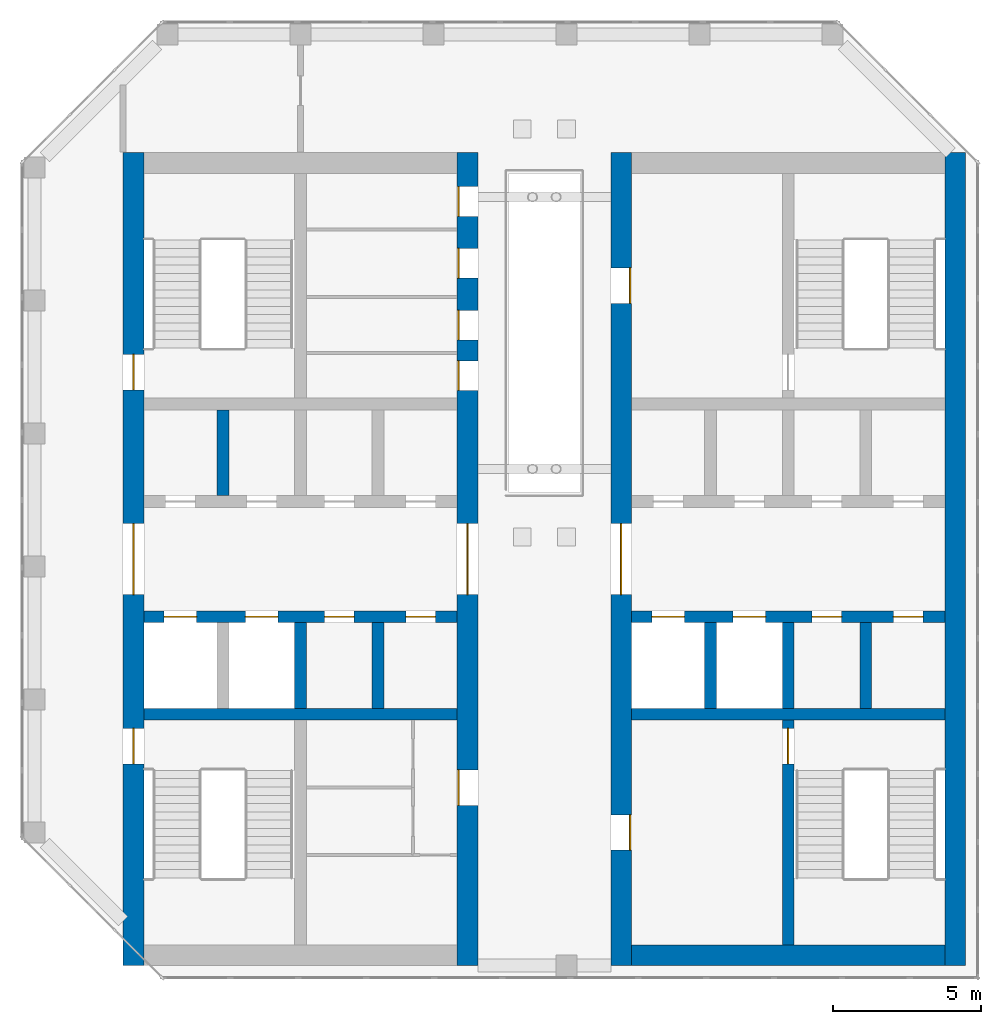
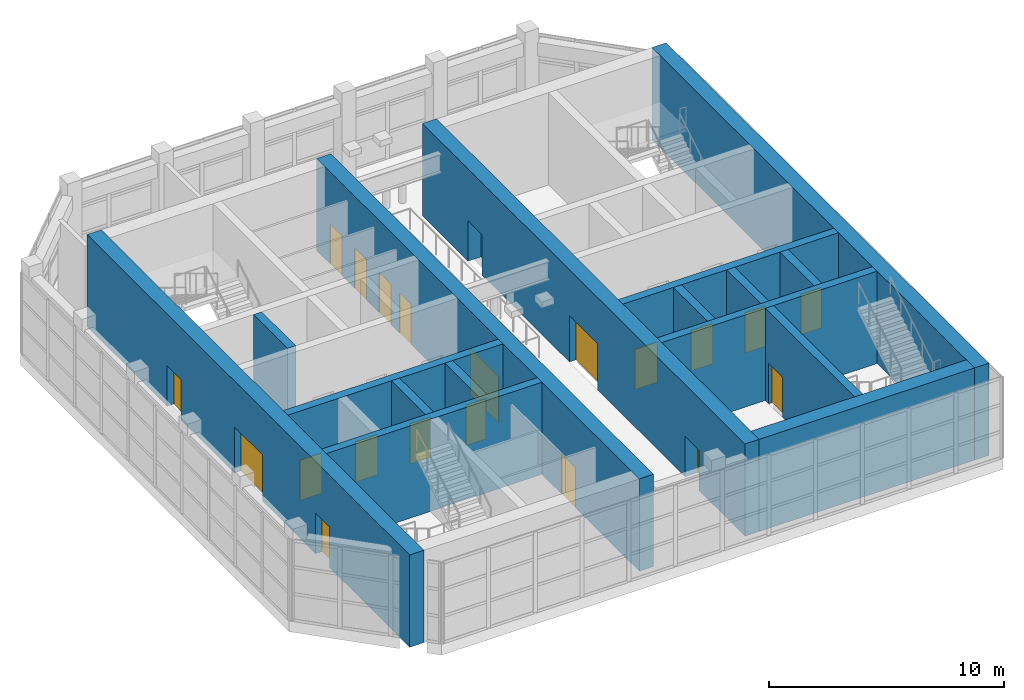
# One storey, part 10 of 13: 21 doors, 16 walls, 21 openings.
"""IFC4 building model written with IfcOpenShell, lengths in metres."""

import ifcopenshell
import ifcopenshell.guid

model = None  # the IFC model being written
_history = None  # IfcOwnerHistory: only IFC2X3 demands one
_inside = {}  # id of a spatial element -> (the spatial element, [elements in it])
_under = {}  # id of a project, library or spatial element -> (it, [spatial elements below it])
_declared = {}  # id of a project -> (the project, [libraries it declares])
_typed = {}  # id of a type object -> (the type object, [elements of that type])
_made_of = {}  # id of a material, layer set ... -> (it, [elements and type objects made of it])


def new_model(schema):
    """Start an empty IFC model of exactly this schema.

    Asked for "IFC4X3", IfcOpenShell would pick the latest addendum, in which some entities
    have other attributes; the version numbers below select the first issue.
    IFC2X3 requires an IfcOwnerHistory on every rooted entity: one is made here for all.
    """
    global model, _history
    if schema == "IFC4X3":
        model = ifcopenshell.file(schema_version=(4, 3, 0, 0))
    else:
        model = ifcopenshell.file(schema=schema)
    _inside.clear()
    _under.clear()
    _declared.clear()
    _typed.clear()
    _made_of.clear()
    _history = None
    if model.schema == "IFC2X3":
        org = make("IfcOrganization", Name="unknown")
        user = make(
            "IfcPersonAndOrganization",
            ThePerson=make("IfcPerson", FamilyName="unknown"),
            TheOrganization=org,
        )
        app = make(
            "IfcApplication",
            ApplicationDeveloper=org,
            Version="unknown",
            ApplicationFullName="unknown",
            ApplicationIdentifier="unknown",
        )
        _history = make(
            "IfcOwnerHistory",
            OwningUser=user,
            OwningApplication=app,
            ChangeAction="ADDED",
            CreationDate=0,
        )
    return model


def make(cls, **values):
    """One entity of the class cls with the attributes given. An attribute that is None is left unset."""
    return model.create_entity(
        cls, **{name: value for name, value in values.items() if value is not None}
    )


def rooted(cls, **values):
    """An entity with a GlobalId (a new one), such as an element, a storey or a relation."""
    return make(cls, GlobalId=ifcopenshell.guid.new(), OwnerHistory=_history, **values)


def si_unit(unit_type, name, prefix=None):
    """IfcSIUnit, for example si_unit("LENGTHUNIT", "METRE", prefix="MILLI")."""
    return make("IfcSIUnit", UnitType=unit_type, Prefix=prefix, Name=name)


def assignment(units):
    """IfcUnitAssignment: the units of a project."""
    return None if units is None else make("IfcUnitAssignment", Units=units)


def point(xyz):
    """IfcCartesianPoint."""
    return None if xyz is None else make("IfcCartesianPoint", Coordinates=xyz)


def direction(xyz):
    """IfcDirection."""
    return None if xyz is None else make("IfcDirection", DirectionRatios=xyz)


def frame(location, z_axis=None, x_axis=None):
    """IfcAxis2Placement3D, a coordinate frame: its origin and axes. An axis left out is left unset."""
    return make(
        "IfcAxis2Placement3D",
        Location=point(location),
        Axis=direction(z_axis),
        RefDirection=direction(x_axis),
    )


def frame_2d(location, x_axis=None):
    """IfcAxis2Placement2D, a coordinate frame in the plane: its origin and x axis."""
    return make(
        "IfcAxis2Placement2D", Location=point(location), RefDirection=direction(x_axis)
    )


def origin():
    """The frame at (0, 0, 0) with its axes left unset."""
    return frame((0.0, 0.0, 0.0))


def place(relative_to, where):
    """IfcLocalPlacement: puts the frame where relative to a parent placement (None: the world)."""
    return make(
        "IfcLocalPlacement", PlacementRelTo=relative_to, RelativePlacement=where
    )


def context(
    kind, dimensions, precision=None, world=None, true_north=None, identifier=None
):
    """IfcGeometricRepresentationContext, for example the 3D "Model" context."""
    return make(
        "IfcGeometricRepresentationContext",
        ContextIdentifier=identifier,
        ContextType=kind,
        CoordinateSpaceDimension=dimensions,
        Precision=precision,
        WorldCoordinateSystem=world,
        TrueNorth=true_north,
    )


def subcontext(parent, identifier, kind, view, scale=None):
    """IfcGeometricRepresentationSubContext, for example "Body" below "Model"."""
    return make(
        "IfcGeometricRepresentationSubContext",
        ContextIdentifier=identifier,
        ContextType=kind,
        ParentContext=parent,
        TargetScale=scale,
        TargetView=view,
    )


def project(units=None, contexts=None):
    """IfcProject with its units and contexts."""
    return rooted(
        "IfcProject",
        Name="project",
        RepresentationContexts=contexts,
        UnitsInContext=assignment(units),
    )


def spatial(cls, under=None, at=None, **own):
    """A site, building, storey or space (cls), placed at a placement, below another one or the project."""
    s = rooted(cls, ObjectPlacement=at, **own)
    if under is not None:
        _under.setdefault(under.id(), (under, []))[1].append(s)
    return s


def profile(cls, at=None, kind="AREA", **sizes):
    """A parametric profile (cls). Its sizes go by their IFC names, for example OverallWidth=200.0."""
    return make(cls, ProfileType=kind, Position=at, **sizes)


def rectangle(**sizes):
    """IfcRectangleProfileDef."""
    return profile("IfcRectangleProfileDef", **sizes)


def extrude(swept, where, along, depth):
    """IfcExtrudedAreaSolid: the profile swept, set in the frame where, extruded along a direction by depth."""
    return make(
        "IfcExtrudedAreaSolid",
        SweptArea=swept,
        Position=where,
        ExtrudedDirection=direction(along),
        Depth=depth,
    )


def shape(context_of_items, identifier, shape_type, items):
    """IfcShapeRepresentation: the items that make up one representation, for example the "Body"."""
    return make(
        "IfcShapeRepresentation",
        ContextOfItems=context_of_items,
        RepresentationIdentifier=identifier,
        RepresentationType=shape_type,
        Items=items,
    )


def material(Name=None, Category=None):
    """IfcMaterial."""
    return make("IfcMaterial", Name=Name, Category=Category)


def layer(
    of_material, thickness, ventilated=None, Name=None, Category=None, Priority=None
):
    """IfcMaterialLayer: one layer of a wall or slab, of a material (None: an air gap)."""
    return make(
        "IfcMaterialLayer",
        Material=of_material,
        LayerThickness=thickness,
        IsVentilated=ventilated,
        Name=Name,
        Category=Category,
        Priority=Priority,
    )


def layer_set(layers, Name=None):
    """IfcMaterialLayerSet."""
    return make("IfcMaterialLayerSet", MaterialLayers=layers, LayerSetName=Name)


def made_of(thing, what):
    """Note that an element or type object is made of a material, layer set ...; save() writes the relation."""
    if what is not None:
        _made_of.setdefault(what.id(), (what, []))[1].append(thing)
    return thing


def type_object(cls, material=None, **own):
    """A type object (cls), such as IfcWallType, which elements share."""
    return made_of(rooted(cls, **own), material)


def element(
    cls,
    number,
    at=None,
    inside=None,
    cuts=None,
    type_object=None,
    material=None,
    context=None,
    identifier="Body",
    shape_type=None,
    held_by="IfcProductDefinitionShape",
    body=None,
    shapes=None,
    **own,
):
    """One element of the class cls, such as IfcWall. Its Tag is "e" and its number.

    at: its placement. inside: the storey or other place that contains it. cuts: it is an
    opening in that element (IfcRelVoidsElement). A single representation is given by context,
    identifier, shape_type and body (its items); several are given by shapes. held_by: the class
    of the entity that holds the representations. save() writes the other relations.
    """
    e = rooted(cls, Tag="e%d" % number, ObjectPlacement=at, **own)
    if body is not None:
        shapes = [shape(context, identifier, shape_type, body)]
    if shapes is not None:
        e.Representation = make(held_by, Representations=shapes)
    if inside is not None:
        _inside.setdefault(inside.id(), (inside, []))[1].append(e)
    if cuts is not None:
        rooted(
            "IfcRelVoidsElement", RelatingBuildingElement=cuts, RelatedOpeningElement=e
        )
    if type_object is not None:
        _typed.setdefault(type_object.id(), (type_object, []))[1].append(e)
    return made_of(e, material)


def fill(opening, filler):
    """IfcRelFillsElement: the door or window that sits in an opening."""
    return rooted(
        "IfcRelFillsElement",
        RelatingOpeningElement=opening,
        RelatedBuildingElement=filler,
    )


def aggregate(whole, parts):
    """IfcRelAggregates: a whole, such as a stair, and the parts it consists of."""
    return rooted("IfcRelAggregates", RelatingObject=whole, RelatedObjects=parts)


def save(model, path):
    """Write the relations noted so far, then the file.

    IfcRelAggregates (storeys below a building ...), IfcRelContainedInSpatialStructure (elements
    in a storey), IfcRelDefinesByType, IfcRelAssociatesMaterial and IfcRelDeclares: one each for
    every whole, place, type object, material and project.
    """
    for whole, parts in _under.values():
        aggregate(whole, parts)
    for where, things in _inside.values():
        rooted(
            "IfcRelContainedInSpatialStructure",
            RelatedElements=things,
            RelatingStructure=where,
        )
    for kind, things in _typed.values():
        rooted("IfcRelDefinesByType", RelatedObjects=things, RelatingType=kind)
    for what, things in _made_of.values():
        rooted("IfcRelAssociatesMaterial", RelatedObjects=things, RelatingMaterial=what)
    for by, libraries in _declared.values():
        rooted("IfcRelDeclares", RelatingContext=by, RelatedDefinitions=libraries)
    model.write(path)


model = new_model("IFC4")

# Units and contexts
model_context = context("Model", 3, precision=1e-05, world=origin(), true_north=direction((0.0, 1.0)))
body_context = subcontext(model_context, "Body", "Model", "MODEL_VIEW")
ifc_project = project(units=[si_unit("LENGTHUNIT", "METRE"), si_unit("AREAUNIT", "SQUARE_METRE"), si_unit("VOLUMEUNIT", "CUBIC_METRE"), si_unit("PLANEANGLEUNIT", "RADIAN"), si_unit("MASSUNIT", "GRAM", prefix="KILO")], contexts=[model_context])

# Site, building, storey
site_placement = place(None, origin())
site = spatial("IfcSite", under=ifc_project, at=site_placement, CompositionType="ELEMENT")
building_placement = place(site_placement, origin())
building = spatial("IfcBuilding", under=site, at=building_placement, Name="Corbel Stack Research Tower", CompositionType="ELEMENT")
storey_placement = place(building_placement, frame((0.0, 0.0, 316.60009765625)))
storey = spatial("IfcBuildingStorey", under=building, at=storey_placement, Name="L71", CompositionType="ELEMENT", Elevation=316.60009765625)

# Wall
ifc_material_1 = material(Name="Concrete C60/75", Category="concrete")
ifc_layer_1 = layer(ifc_material_1, 0.39990234375)
ifc_layer_set_1 = layer_set([ifc_layer_1], Name="Concrete C60/75")
wall_type_1 = type_object("IfcWallType", Name="CW-400-60", PredefinedType="SHEAR", material=ifc_layer_set_1)
wall_1_placement = place(storey_placement, frame((-9.800048828125, -0.5, 0.0), z_axis=(0.0, 0.0, 1.0), x_axis=(1.0, 0.0, 0.0)))
element("IfcWall", 1, at=wall_1_placement, inside=storey, type_object=wall_type_1, Name="West core wall, south row back L71", PredefinedType="SHEAR", context=body_context, shape_type="SweptSolid", body=[
    extrude(rectangle(XDim=10.60009765625, YDim=0.39990234375, at=frame_2d((5.300048828125, 0.0))), origin(), (0.0, 0.0, 1.0), 4.7998046875),
])

# Wall, openings, doors
wall_2_placement = place(storey_placement, frame((-9.800048828125, 2.800048828125, 0.0), z_axis=(0.0, 0.0, 1.0), x_axis=(1.0, 0.0, 0.0)))
wall_2 = element("IfcWall", 2, at=wall_2_placement, inside=storey, type_object=wall_type_1, Name="West core wall, lobby south L71", PredefinedType="SHEAR", context=body_context, shape_type="SweptSolid", body=[
    extrude(rectangle(XDim=10.60009765625, YDim=0.39990234375, at=frame_2d((5.300048828125, 0.0))), origin(), (0.0, 0.0, 1.0), 4.7998046875),
])
opening_1_placement = place(wall_2_placement, frame((0.6875, 0.0, 0.0)))
opening_1 = element("IfcOpeningElement", 3, at=opening_1_placement, cuts=wall_2, Name="Opening LD-FS1", PredefinedType="OPENING", context=body_context, shape_type="SweptSolid", body=[
    extrude(rectangle(XDim=1.10009765625, YDim=2.10009765625, at=frame_2d((0.550048828125, 1.050048828125))), frame((0.0, 0.2099609375, 0.0), z_axis=(0.0, -1.0, 0.0), x_axis=(1.0, 0.0, 0.0)), (0.0, 0.0, 1.0), 0.419921875),
])
opening_2_placement = place(wall_2_placement, frame((3.4375, 0.0, 0.0)))
opening_2 = element("IfcOpeningElement", 4, at=opening_2_placement, cuts=wall_2, Name="Opening LD-GL1", PredefinedType="OPENING", context=body_context, shape_type="SweptSolid", body=[
    extrude(rectangle(XDim=1.10009765625, YDim=2.10009765625, at=frame_2d((0.550048828125, 1.050048828125))), frame((0.0, 0.2099609375, 0.0), z_axis=(0.0, -1.0, 0.0), x_axis=(1.0, 0.0, 0.0)), (0.0, 0.0, 1.0), 0.419921875),
])
opening_3_placement = place(wall_2_placement, frame((6.112548828125, 0.0, 0.0)))
opening_3 = element("IfcOpeningElement", 5, at=opening_3_placement, cuts=wall_2, Name="Opening CR-W66-S3", PredefinedType="OPENING", context=body_context, shape_type="SweptSolid", body=[
    extrude(rectangle(XDim=1.0, YDim=2.10009765625, at=frame_2d((0.5, 1.050048828125))), frame((0.0, 0.2099609375, 0.0), z_axis=(0.0, -1.0, 0.0), x_axis=(1.0, 0.0, 0.0)), (0.0, 0.0, 1.0), 0.419921875),
])
opening_4_placement = place(wall_2_placement, frame((8.862548828125, 0.0, 0.0)))
opening_4 = element("IfcOpeningElement", 6, at=opening_4_placement, cuts=wall_2, Name="Opening CR-W66-S4", PredefinedType="OPENING", context=body_context, shape_type="SweptSolid", body=[
    extrude(rectangle(XDim=1.0, YDim=2.10009765625, at=frame_2d((0.5, 1.050048828125))), frame((0.0, 0.2099609375, 0.0), z_axis=(0.0, -1.0, 0.0), x_axis=(1.0, 0.0, 0.0)), (0.0, 0.0, 1.0), 0.419921875),
])
ifc_material_2 = material(Name="Stainless steel landing door", Category="steel")
door_type_1 = type_object("IfcDoorType", Name="Lift landing door 1100 x 2100", OperationType="DOUBLE_DOOR_SLIDING", PredefinedType="DOOR", material=ifc_material_2)
door_1_placement = place(opening_1_placement, origin())
door_1 = element("IfcDoor", 7, at=door_1_placement, inside=storey, type_object=door_type_1, Name="Landing door FS1", OperationType="DOUBLE_DOOR_SLIDING", OverallHeight=2.10009765625, OverallWidth=1.10009765625, PredefinedType="DOOR", context=body_context, shape_type="SweptSolid", body=[
    extrude(rectangle(XDim=1.10009765625, YDim=2.10009765625, at=frame_2d((0.550048828125, 1.050048828125))), frame((0.0, 0.02490234375, 0.0), z_axis=(0.0, -1.0, 0.0), x_axis=(1.0, 0.0, 0.0)), (0.0, 0.0, 1.0), 0.050048828125),
])
fill(opening_1, door_1)
door_2_placement = place(opening_2_placement, origin())
door_2 = element("IfcDoor", 8, at=door_2_placement, inside=storey, type_object=door_type_1, Name="Landing door GL1", OperationType="DOUBLE_DOOR_SLIDING", OverallHeight=2.10009765625, OverallWidth=1.10009765625, PredefinedType="DOOR", context=body_context, shape_type="SweptSolid", body=[
    extrude(rectangle(XDim=1.10009765625, YDim=2.10009765625, at=frame_2d((0.550048828125, 1.050048828125))), frame((0.0, 0.02490234375, 0.0), z_axis=(0.0, -1.0, 0.0), x_axis=(1.0, 0.0, 0.0)), (0.0, 0.0, 1.0), 0.050048828125),
])
fill(opening_2, door_2)
ifc_material_3 = material(Name="Painted steel door", Category="steel")
door_type_2 = type_object("IfcDoorType", Name="Service door 1000 x 2100 FD60 left hand", OperationType="SINGLE_SWING_LEFT", PredefinedType="DOOR", material=ifc_material_3)
door_3_placement = place(opening_3_placement, origin())
door_3 = element("IfcDoor", 9, at=door_3_placement, inside=storey, type_object=door_type_2, Name="Mechanical room door W core", OperationType="SINGLE_SWING_LEFT", OverallHeight=2.10009765625, OverallWidth=1.0, PredefinedType="DOOR", context=body_context, shape_type="SweptSolid", body=[
    extrude(rectangle(XDim=1.0, YDim=2.10009765625, at=frame_2d((0.5, 1.050048828125))), frame((0.0, 0.02490234375, 0.0), z_axis=(0.0, -1.0, 0.0), x_axis=(1.0, 0.0, 0.0)), (0.0, 0.0, 1.0), 0.050048828125),
])
fill(opening_3, door_3)
ifc_material_4 = material(Name="Painted steel door", Category="steel")
door_type_3 = type_object("IfcDoorType", Name="Service door 1000 x 2100 FD60 right hand", OperationType="SINGLE_SWING_RIGHT", PredefinedType="DOOR", material=ifc_material_4)
door_4_placement = place(opening_4_placement, origin())
door_4 = element("IfcDoor", 10, at=door_4_placement, inside=storey, type_object=door_type_3, Name="Mechanical room door W core", OperationType="SINGLE_SWING_RIGHT", OverallHeight=2.10009765625, OverallWidth=1.0, PredefinedType="DOOR", context=body_context, shape_type="SweptSolid", body=[
    extrude(rectangle(XDim=1.0, YDim=2.10009765625, at=frame_2d((0.5, 1.050048828125))), frame((0.0, 0.02490234375, 0.0), z_axis=(0.0, -1.0, 0.0), x_axis=(1.0, 0.0, 0.0)), (0.0, 0.0, 1.0), 0.050048828125),
])
fill(opening_4, door_4)

# Walls
for number, where, z_axis, x_axis, name in (
    (11, (-7.125, 6.89990234375, 0.0), (0.0, 0.0, 1.0), (0.0, 1.0, 0.0), "West core wall, north shaft 1 L71"),
    (12, (-4.5, -0.300048828125, 0.0), (0.0, 0.0, 1.0), (0.0, 1.0, 0.0), "West core wall, south shaft 2 L71"),
    (13, (-1.875, -0.300048828125, 0.0), (0.0, 0.0, 1.0), (0.0, 1.0, 0.0), "West core wall, south shaft 3 L71"),
):
    element("IfcWall", number, at=place(storey_placement, frame(where, z_axis=z_axis, x_axis=x_axis)), inside=storey, type_object=wall_type_1, Name=name, PredefinedType="SHEAR", context=body_context, shape_type="SweptSolid", body=[
        extrude(rectangle(XDim=2.900146484375, YDim=0.39990234375, at=frame_2d((1.4501953125, 0.0))), origin(), (0.0, 0.0, 1.0), 4.7998046875),
    ])
wall_3_placement = place(storey_placement, frame((6.699951171875, -0.5, 0.0), z_axis=(0.0, 0.0, 1.0), x_axis=(1.0, 0.0, 0.0)))
element("IfcWall", 14, at=wall_3_placement, inside=storey, type_object=wall_type_1, Name="East core wall, south row back L71", PredefinedType="SHEAR", context=body_context, shape_type="SweptSolid", body=[
    extrude(rectangle(XDim=10.60009765625, YDim=0.39990234375, at=frame_2d((5.300048828125, 0.0))), origin(), (0.0, 0.0, 1.0), 4.7998046875),
])

# Wall, openings, doors
wall_4_placement = place(storey_placement, frame((6.699951171875, 2.800048828125, 0.0), z_axis=(0.0, 0.0, 1.0), x_axis=(1.0, 0.0, 0.0)))
wall_4 = element("IfcWall", 15, at=wall_4_placement, inside=storey, type_object=wall_type_1, Name="East core wall, lobby south L71", PredefinedType="SHEAR", context=body_context, shape_type="SweptSolid", body=[
    extrude(rectangle(XDim=10.60009765625, YDim=0.39990234375, at=frame_2d((5.300048828125, 0.0))), origin(), (0.0, 0.0, 1.0), 4.7998046875),
])
opening_5_placement = place(wall_4_placement, frame((0.6875, 0.0, 0.0)))
opening_5 = element("IfcOpeningElement", 16, at=opening_5_placement, cuts=wall_4, Name="Opening LD-FS2", PredefinedType="OPENING", context=body_context, shape_type="SweptSolid", body=[
    extrude(rectangle(XDim=1.10009765625, YDim=2.10009765625, at=frame_2d((0.550048828125, 1.050048828125))), frame((0.0, 0.2099609375, 0.0), z_axis=(0.0, -1.0, 0.0), x_axis=(1.0, 0.0, 0.0)), (0.0, 0.0, 1.0), 0.419921875),
])
opening_6_placement = place(wall_4_placement, frame((3.4375, 0.0, 0.0)))
opening_6 = element("IfcOpeningElement", 17, at=opening_6_placement, cuts=wall_4, Name="Opening LD-GL2", PredefinedType="OPENING", context=body_context, shape_type="SweptSolid", body=[
    extrude(rectangle(XDim=1.10009765625, YDim=2.10009765625, at=frame_2d((0.550048828125, 1.050048828125))), frame((0.0, 0.2099609375, 0.0), z_axis=(0.0, -1.0, 0.0), x_axis=(1.0, 0.0, 0.0)), (0.0, 0.0, 1.0), 0.419921875),
])
opening_7_placement = place(wall_4_placement, frame((6.112548828125, 0.0, 0.0)))
opening_7 = element("IfcOpeningElement", 18, at=opening_7_placement, cuts=wall_4, Name="Opening CR-E66v-S3", PredefinedType="OPENING", context=body_context, shape_type="SweptSolid", body=[
    extrude(rectangle(XDim=1.0, YDim=2.10009765625, at=frame_2d((0.5, 1.050048828125))), frame((0.0, 0.2099609375, 0.0), z_axis=(0.0, -1.0, 0.0), x_axis=(1.0, 0.0, 0.0)), (0.0, 0.0, 1.0), 0.419921875),
])
opening_8_placement = place(wall_4_placement, frame((8.862548828125, 0.0, 0.0)))
opening_8 = element("IfcOpeningElement", 19, at=opening_8_placement, cuts=wall_4, Name="Opening CR-E66v-S4", PredefinedType="OPENING", context=body_context, shape_type="SweptSolid", body=[
    extrude(rectangle(XDim=1.0, YDim=2.10009765625, at=frame_2d((0.5, 1.050048828125))), frame((0.0, 0.2099609375, 0.0), z_axis=(0.0, -1.0, 0.0), x_axis=(1.0, 0.0, 0.0)), (0.0, 0.0, 1.0), 0.419921875),
])
door_5_placement = place(opening_5_placement, origin())
door_5 = element("IfcDoor", 20, at=door_5_placement, inside=storey, type_object=door_type_1, Name="Landing door FS2", OperationType="DOUBLE_DOOR_SLIDING", OverallHeight=2.10009765625, OverallWidth=1.10009765625, PredefinedType="DOOR", context=body_context, shape_type="SweptSolid", body=[
    extrude(rectangle(XDim=1.10009765625, YDim=2.10009765625, at=frame_2d((0.550048828125, 1.050048828125))), frame((0.0, 0.02490234375, 0.0), z_axis=(0.0, -1.0, 0.0), x_axis=(1.0, 0.0, 0.0)), (0.0, 0.0, 1.0), 0.050048828125),
])
fill(opening_5, door_5)
door_6_placement = place(opening_6_placement, origin())
door_6 = element("IfcDoor", 21, at=door_6_placement, inside=storey, type_object=door_type_1, Name="Landing door GL2", OperationType="DOUBLE_DOOR_SLIDING", OverallHeight=2.10009765625, OverallWidth=1.10009765625, PredefinedType="DOOR", context=body_context, shape_type="SweptSolid", body=[
    extrude(rectangle(XDim=1.10009765625, YDim=2.10009765625, at=frame_2d((0.550048828125, 1.050048828125))), frame((0.0, 0.02490234375, 0.0), z_axis=(0.0, -1.0, 0.0), x_axis=(1.0, 0.0, 0.0)), (0.0, 0.0, 1.0), 0.050048828125),
])
fill(opening_6, door_6)
door_7_placement = place(opening_7_placement, origin())
door_7 = element("IfcDoor", 22, at=door_7_placement, inside=storey, type_object=door_type_2, Name="Telecom room door E core", OperationType="SINGLE_SWING_LEFT", OverallHeight=2.10009765625, OverallWidth=1.0, PredefinedType="DOOR", context=body_context, shape_type="SweptSolid", body=[
    extrude(rectangle(XDim=1.0, YDim=2.10009765625, at=frame_2d((0.5, 1.050048828125))), frame((0.0, 0.02490234375, 0.0), z_axis=(0.0, -1.0, 0.0), x_axis=(1.0, 0.0, 0.0)), (0.0, 0.0, 1.0), 0.050048828125),
])
fill(opening_7, door_7)
door_8_placement = place(opening_8_placement, origin())
door_8 = element("IfcDoor", 23, at=door_8_placement, inside=storey, type_object=door_type_3, Name="Telecom room door E core", OperationType="SINGLE_SWING_RIGHT", OverallHeight=2.10009765625, OverallWidth=1.0, PredefinedType="DOOR", context=body_context, shape_type="SweptSolid", body=[
    extrude(rectangle(XDim=1.0, YDim=2.10009765625, at=frame_2d((0.5, 1.050048828125))), frame((0.0, 0.02490234375, 0.0), z_axis=(0.0, -1.0, 0.0), x_axis=(1.0, 0.0, 0.0)), (0.0, 0.0, 1.0), 0.050048828125),
])
fill(opening_8, door_8)

# Walls
for number, where, z_axis, x_axis, name in (
    (24, (9.375, -0.300048828125, 0.0), (0.0, 0.0, 1.0), (0.0, 1.0, 0.0), "East core wall, south shaft 1 L71"),
    (25, (12.0, -0.300048828125, 0.0), (0.0, 0.0, 1.0), (0.0, 1.0, 0.0), "East core wall, south shaft 2 L71"),
    (26, (14.625, -0.300048828125, 0.0), (0.0, 0.0, 1.0), (0.0, 1.0, 0.0), "East core wall, south shaft 3 L71"),
):
    element("IfcWall", number, at=place(storey_placement, frame(where, z_axis=z_axis, x_axis=x_axis)), inside=storey, type_object=wall_type_1, Name=name, PredefinedType="SHEAR", context=body_context, shape_type="SweptSolid", body=[
        extrude(rectangle(XDim=2.900146484375, YDim=0.39990234375, at=frame_2d((1.4501953125, 0.0))), origin(), (0.0, 0.0, 1.0), 4.7998046875),
    ])

# Wall, opening, door
wall_5_placement = place(storey_placement, frame((12.0, -8.300048828125, 0.0), z_axis=(0.0, 0.0, 1.0), x_axis=(0.0, 1.0, 0.0)))
wall_5 = element("IfcWall", 27, at=wall_5_placement, inside=storey, type_object=wall_type_1, Name="East core wall, south stair and WC L71", PredefinedType="SHEAR", context=body_context, shape_type="SweptSolid", body=[
    extrude(rectangle(XDim=7.60009765625, YDim=0.39990234375, at=frame_2d((3.800048828125, 0.0))), origin(), (0.0, 0.0, 1.0), 4.7998046875),
])
opening_9_placement = place(wall_5_placement, frame((6.125, 0.0, 0.0)))
opening_9 = element("IfcOpeningElement", 28, at=opening_9_placement, cuts=wall_5, Name="Opening SD-ST-E1", PredefinedType="OPENING", context=body_context, shape_type="SweptSolid", body=[
    extrude(rectangle(XDim=1.199951171875, YDim=2.10009765625, at=frame_2d((0.60009765625, 1.050048828125))), frame((0.0, 0.2099609375, 0.0), z_axis=(0.0, -1.0, 0.0), x_axis=(1.0, 0.0, 0.0)), (0.0, 0.0, 1.0), 0.419921875),
])
ifc_material_5 = material(Name="Painted steel fire door", Category="steel")
door_type_4 = type_object("IfcDoorType", Name="Stair door 1200 x 2100 FD90 right hand", OperationType="SINGLE_SWING_RIGHT", PredefinedType="DOOR", material=ifc_material_5)
door_9_placement = place(opening_9_placement, origin())
door_9 = element("IfcDoor", 29, at=door_9_placement, inside=storey, type_object=door_type_4, Name="Stair door ST-E1", OperationType="SINGLE_SWING_RIGHT", OverallHeight=2.10009765625, OverallWidth=1.199951171875, PredefinedType="DOOR", context=body_context, shape_type="SweptSolid", body=[
    extrude(rectangle(XDim=1.199951171875, YDim=2.10009765625, at=frame_2d((0.60009765625, 1.050048828125))), frame((0.0, 0.02490234375, 0.0), z_axis=(0.0, -1.0, 0.0), x_axis=(1.0, 0.0, 0.0)), (0.0, 0.0, 1.0), 0.050048828125),
])
fill(opening_9, door_9)

# Wall, openings, doors
ifc_material_6 = material(Name="Concrete C60/75", Category="concrete")
ifc_layer_2 = layer(ifc_material_6, 0.699951171875)
ifc_layer_set_2 = layer_set([ifc_layer_2], Name="Concrete C60/75")
wall_type_2 = type_object("IfcWallType", Name="CW-700-60", PredefinedType="SHEAR", material=ifc_layer_set_2)
wall_6_placement = place(storey_placement, frame((-10.14990234375, -9.0, 0.0), z_axis=(0.0, 0.0, 1.0), x_axis=(0.0, 1.0, 0.0)))
wall_6 = element("IfcWall", 30, at=wall_6_placement, inside=storey, type_object=wall_type_2, Name="West core wall, west face L71", PredefinedType="SHEAR", context=body_context, shape_type="SweptSolid", body=[
    extrude(rectangle(XDim=27.5, YDim=0.699951171875, at=frame_2d((13.75, 0.0))), origin(), (0.0, 0.0, 1.0), 4.7998046875),
])
opening_10_placement = place(wall_6_placement, frame((12.550048828125, 0.0, 0.0)))
opening_10 = element("IfcOpeningElement", 31, at=opening_10_placement, cuts=wall_6, Name="Opening CD-W-W", PredefinedType="OPENING", context=body_context, shape_type="SweptSolid", body=[
    extrude(rectangle(XDim=2.39990234375, YDim=2.39990234375, at=frame_2d((1.199951171875, 1.199951171875))), frame((0.0, 0.35986328125, 0.0), z_axis=(0.0, -1.0, 0.0), x_axis=(1.0, 0.0, 0.0)), (0.0, 0.0, 1.0), 0.719970703125),
])
opening_11_placement = place(wall_6_placement, frame((6.824951171875, 0.0, 0.0)))
opening_11 = element("IfcOpeningElement", 32, at=opening_11_placement, cuts=wall_6, Name="Opening SD-ST-W1", PredefinedType="OPENING", context=body_context, shape_type="SweptSolid", body=[
    extrude(rectangle(XDim=1.199951171875, YDim=2.10009765625, at=frame_2d((0.60009765625, 1.050048828125))), frame((0.0, 0.35986328125, 0.0), z_axis=(0.0, -1.0, 0.0), x_axis=(1.0, 0.0, 0.0)), (0.0, 0.0, 1.0), 0.719970703125),
])
opening_12_placement = place(wall_6_placement, frame((19.47509765625, 0.0, 0.0)))
opening_12 = element("IfcOpeningElement", 33, at=opening_12_placement, cuts=wall_6, Name="Opening SD-ST-W2", PredefinedType="OPENING", context=body_context, shape_type="SweptSolid", body=[
    extrude(rectangle(XDim=1.199951171875, YDim=2.10009765625, at=frame_2d((0.60009765625, 1.050048828125))), frame((0.0, 0.35986328125, 0.0), z_axis=(0.0, -1.0, 0.0), x_axis=(1.0, 0.0, 0.0)), (0.0, 0.0, 1.0), 0.719970703125),
])
ifc_material_7 = material(Name="Painted steel fire door", Category="steel")
door_type_5 = type_object("IfcDoorType", Name="Lobby door pair 2400 x 2400 FD30S", OperationType="DOUBLE_DOOR_DOUBLE_SWING", PredefinedType="DOOR", material=ifc_material_7)
door_10_placement = place(opening_10_placement, origin())
door_10 = element("IfcDoor", 34, at=door_10_placement, inside=storey, type_object=door_type_5, Name="Lift lobby door W core W", OperationType="DOUBLE_DOOR_DOUBLE_SWING", OverallHeight=2.39990234375, OverallWidth=2.39990234375, PredefinedType="DOOR", context=body_context, shape_type="SweptSolid", body=[
    extrude(rectangle(XDim=2.39990234375, YDim=2.39990234375, at=frame_2d((1.199951171875, 1.199951171875))), frame((0.0, 0.02490234375, 0.0), z_axis=(0.0, -1.0, 0.0), x_axis=(1.0, 0.0, 0.0)), (0.0, 0.0, 1.0), 0.050048828125),
])
fill(opening_10, door_10)
ifc_material_8 = material(Name="Painted steel fire door", Category="steel")
door_type_6 = type_object("IfcDoorType", Name="Stair door 1200 x 2100 FD90 left hand", OperationType="SINGLE_SWING_LEFT", PredefinedType="DOOR", material=ifc_material_8)
door_11_placement = place(opening_11_placement, origin())
door_11 = element("IfcDoor", 35, at=door_11_placement, inside=storey, type_object=door_type_6, Name="Stair door ST-W1", OperationType="SINGLE_SWING_LEFT", OverallHeight=2.10009765625, OverallWidth=1.199951171875, PredefinedType="DOOR", context=body_context, shape_type="SweptSolid", body=[
    extrude(rectangle(XDim=1.199951171875, YDim=2.10009765625, at=frame_2d((0.60009765625, 1.050048828125))), frame((0.0, 0.02490234375, 0.0), z_axis=(0.0, -1.0, 0.0), x_axis=(1.0, 0.0, 0.0)), (0.0, 0.0, 1.0), 0.050048828125),
])
fill(opening_11, door_11)
door_12_placement = place(opening_12_placement, origin())
door_12 = element("IfcDoor", 36, at=door_12_placement, inside=storey, type_object=door_type_6, Name="Stair door ST-W2", OperationType="SINGLE_SWING_LEFT", OverallHeight=2.10009765625, OverallWidth=1.199951171875, PredefinedType="DOOR", context=body_context, shape_type="SweptSolid", body=[
    extrude(rectangle(XDim=1.199951171875, YDim=2.10009765625, at=frame_2d((0.60009765625, 1.050048828125))), frame((0.0, 0.02490234375, 0.0), z_axis=(0.0, -1.0, 0.0), x_axis=(1.0, 0.0, 0.0)), (0.0, 0.0, 1.0), 0.050048828125),
])
fill(opening_12, door_12)

wall_7_placement = place(storey_placement, frame((1.14990234375, -9.0, 0.0), z_axis=(0.0, 0.0, 1.0), x_axis=(0.0, 1.0, 0.0)))
wall_7 = element("IfcWall", 37, at=wall_7_placement, inside=storey, type_object=wall_type_2, Name="West core wall, east face L71", PredefinedType="SHEAR", context=body_context, shape_type="SweptSolid", body=[
    extrude(rectangle(XDim=27.5, YDim=0.699951171875, at=frame_2d((13.75, 0.0))), origin(), (0.0, 0.0, 1.0), 4.7998046875),
])
opening_13_placement = place(wall_7_placement, frame((12.550048828125, 0.0, 0.0)))
opening_13 = element("IfcOpeningElement", 38, at=opening_13_placement, cuts=wall_7, Name="Opening CD-W-E", PredefinedType="OPENING", context=body_context, shape_type="SweptSolid", body=[
    extrude(rectangle(XDim=2.39990234375, YDim=2.39990234375, at=frame_2d((1.199951171875, 1.199951171875))), frame((0.0, 0.35986328125, 0.0), z_axis=(0.0, -1.0, 0.0), x_axis=(1.0, 0.0, 0.0)), (0.0, 0.0, 1.0), 0.719970703125),
])
opening_14_placement = place(wall_7_placement, frame((5.419921875, 0.0, 0.0)))
opening_14 = element("IfcOpeningElement", 39, at=opening_14_placement, cuts=wall_7, Name="Opening CR-W66-W1-1200", PredefinedType="OPENING", context=body_context, shape_type="SweptSolid", body=[
    extrude(rectangle(XDim=1.199951171875, YDim=2.10009765625, at=frame_2d((0.60009765625, 1.050048828125))), frame((0.0, 0.35986328125, 0.0), z_axis=(0.0, -1.0, 0.0), x_axis=(1.0, 0.0, 0.0)), (0.0, 0.0, 1.0), 0.719970703125),
])
opening_15_placement = place(wall_7_placement, frame((19.4599609375, 0.0, 0.0)))
opening_15 = element("IfcOpeningElement", 40, at=opening_15_placement, cuts=wall_7, Name="Opening CR-W66-R1-1000", PredefinedType="OPENING", context=body_context, shape_type="SweptSolid", body=[
    extrude(rectangle(XDim=1.0, YDim=2.10009765625, at=frame_2d((0.5, 1.050048828125))), frame((0.0, 0.35986328125, 0.0), z_axis=(0.0, -1.0, 0.0), x_axis=(1.0, 0.0, 0.0)), (0.0, 0.0, 1.0), 0.719970703125),
])
opening_16_placement = place(wall_7_placement, frame((21.169921875, 0.0, 0.0)))
opening_16 = element("IfcOpeningElement", 41, at=opening_16_placement, cuts=wall_7, Name="Opening CR-W66-R2-1000", PredefinedType="OPENING", context=body_context, shape_type="SweptSolid", body=[
    extrude(rectangle(XDim=1.0, YDim=2.10009765625, at=frame_2d((0.5, 1.050048828125))), frame((0.0, 0.35986328125, 0.0), z_axis=(0.0, -1.0, 0.0), x_axis=(1.0, 0.0, 0.0)), (0.0, 0.0, 1.0), 0.719970703125),
])
opening_17_placement = place(wall_7_placement, frame((23.260009765625, 0.0, 0.0)))
opening_17 = element("IfcOpeningElement", 42, at=opening_17_placement, cuts=wall_7, Name="Opening CR-W66-R3-1000", PredefinedType="OPENING", context=body_context, shape_type="SweptSolid", body=[
    extrude(rectangle(XDim=1.0, YDim=2.10009765625, at=frame_2d((0.5, 1.050048828125))), frame((0.0, 0.35986328125, 0.0), z_axis=(0.0, -1.0, 0.0), x_axis=(1.0, 0.0, 0.0)), (0.0, 0.0, 1.0), 0.719970703125),
])
opening_18_placement = place(wall_7_placement, frame((25.35009765625, 0.0, 0.0)))
opening_18 = element("IfcOpeningElement", 43, at=opening_18_placement, cuts=wall_7, Name="Opening CR-W66-R4-1000", PredefinedType="OPENING", context=body_context, shape_type="SweptSolid", body=[
    extrude(rectangle(XDim=1.0, YDim=2.10009765625, at=frame_2d((0.5, 1.050048828125))), frame((0.0, 0.35986328125, 0.0), z_axis=(0.0, -1.0, 0.0), x_axis=(1.0, 0.0, 0.0)), (0.0, 0.0, 1.0), 0.719970703125),
])
door_13_placement = place(opening_13_placement, origin())
door_13 = element("IfcDoor", 44, at=door_13_placement, inside=storey, type_object=door_type_5, Name="Lift lobby door W core E", OperationType="DOUBLE_DOOR_DOUBLE_SWING", OverallHeight=2.39990234375, OverallWidth=2.39990234375, PredefinedType="DOOR", context=body_context, shape_type="SweptSolid", body=[
    extrude(rectangle(XDim=2.39990234375, YDim=2.39990234375, at=frame_2d((1.199951171875, 1.199951171875))), frame((0.0, 0.02490234375, 0.0), z_axis=(0.0, -1.0, 0.0), x_axis=(1.0, 0.0, 0.0)), (0.0, 0.0, 1.0), 0.050048828125),
])
fill(opening_13, door_13)
ifc_material_9 = material(Name="Painted steel door", Category="steel")
door_type_7 = type_object("IfcDoorType", Name="Riser door 1000 x 2100 FD60 left hand", OperationType="SINGLE_SWING_LEFT", PredefinedType="DOOR", material=ifc_material_9)
door_14_placement = place(opening_15_placement, origin())
door_14 = element("IfcDoor", 45, at=door_14_placement, inside=storey, type_object=door_type_7, Name="Electrical riser door W core", OperationType="SINGLE_SWING_LEFT", OverallHeight=2.10009765625, OverallWidth=1.0, PredefinedType="DOOR", context=body_context, shape_type="SweptSolid", body=[
    extrude(rectangle(XDim=1.0, YDim=2.10009765625, at=frame_2d((0.5, 1.050048828125))), frame((0.0, 0.3251953125, 0.0), z_axis=(0.0, -1.0, 0.0), x_axis=(1.0, 0.0, 0.0)), (0.0, 0.0, 1.0), 0.050048828125),
])
fill(opening_15, door_14)
ifc_material_10 = material(Name="Painted steel door", Category="steel")
door_type_8 = type_object("IfcDoorType", Name="Riser door 1000 x 2100 FD60 right hand", OperationType="SINGLE_SWING_RIGHT", PredefinedType="DOOR", material=ifc_material_10)
door_15_placement = place(opening_16_placement, origin())
door_15 = element("IfcDoor", 46, at=door_15_placement, inside=storey, type_object=door_type_8, Name="Telecom room door W core", OperationType="SINGLE_SWING_RIGHT", OverallHeight=2.10009765625, OverallWidth=1.0, PredefinedType="DOOR", context=body_context, shape_type="SweptSolid", body=[
    extrude(rectangle(XDim=1.0, YDim=2.10009765625, at=frame_2d((0.5, 1.050048828125))), frame((0.0, 0.3251953125, 0.0), z_axis=(0.0, -1.0, 0.0), x_axis=(1.0, 0.0, 0.0)), (0.0, 0.0, 1.0), 0.050048828125),
])
fill(opening_16, door_15)
ifc_material_11 = material(Name="Painted steel door", Category="steel")
door_type_9 = type_object("IfcDoorType", Name="Service door 1000 x 2100 FD30 left hand", OperationType="SINGLE_SWING_LEFT", PredefinedType="DOOR", material=ifc_material_11)
door_16_placement = place(opening_17_placement, origin())
door_16 = element("IfcDoor", 47, at=door_16_placement, inside=storey, type_object=door_type_9, Name="Pantry door W core", OperationType="SINGLE_SWING_LEFT", OverallHeight=2.10009765625, OverallWidth=1.0, PredefinedType="DOOR", context=body_context, shape_type="SweptSolid", body=[
    extrude(rectangle(XDim=1.0, YDim=2.10009765625, at=frame_2d((0.5, 1.050048828125))), frame((0.0, 0.3251953125, 0.0), z_axis=(0.0, -1.0, 0.0), x_axis=(1.0, 0.0, 0.0)), (0.0, 0.0, 1.0), 0.050048828125),
])
fill(opening_17, door_16)
ifc_material_12 = material(Name="Painted steel door", Category="steel")
door_type_10 = type_object("IfcDoorType", Name="Service door 1000 x 2100 FD30 right hand", OperationType="SINGLE_SWING_RIGHT", PredefinedType="DOOR", material=ifc_material_12)
door_17_placement = place(opening_18_placement, origin())
door_17 = element("IfcDoor", 48, at=door_17_placement, inside=storey, type_object=door_type_10, Name="Cleaner's store door W core", OperationType="SINGLE_SWING_RIGHT", OverallHeight=2.10009765625, OverallWidth=1.0, PredefinedType="DOOR", context=body_context, shape_type="SweptSolid", body=[
    extrude(rectangle(XDim=1.0, YDim=2.10009765625, at=frame_2d((0.5, 1.050048828125))), frame((0.0, 0.3251953125, 0.0), z_axis=(0.0, -1.0, 0.0), x_axis=(1.0, 0.0, 0.0)), (0.0, 0.0, 1.0), 0.050048828125),
])
fill(opening_18, door_17)
ifc_material_13 = material(Name="Painted timber door", Category="wood")
door_type_11 = type_object("IfcDoorType", Name="WC door 1200 x 2100 left hand", OperationType="SINGLE_SWING_LEFT", PredefinedType="DOOR", material=ifc_material_13)
door_18_placement = place(opening_14_placement, origin())
door_18 = element("IfcDoor", 49, at=door_18_placement, inside=storey, type_object=door_type_11, Name="WC lobby door W core", OperationType="SINGLE_SWING_LEFT", OverallHeight=2.10009765625, OverallWidth=1.199951171875, PredefinedType="DOOR", context=body_context, shape_type="SweptSolid", body=[
    extrude(rectangle(XDim=1.199951171875, YDim=2.10009765625, at=frame_2d((0.60009765625, 1.050048828125))), frame((0.0, 0.3251953125, 0.0), z_axis=(0.0, -1.0, 0.0), x_axis=(1.0, 0.0, 0.0)), (0.0, 0.0, 1.0), 0.050048828125),
])
fill(opening_14, door_18)

wall_8_placement = place(storey_placement, frame((6.35009765625, -9.0, 0.0), z_axis=(0.0, 0.0, 1.0), x_axis=(0.0, 1.0, 0.0)))
wall_8 = element("IfcWall", 50, at=wall_8_placement, inside=storey, type_object=wall_type_2, Name="East core wall, west face L71", PredefinedType="SHEAR", context=body_context, shape_type="SweptSolid", body=[
    extrude(rectangle(XDim=27.5, YDim=0.699951171875, at=frame_2d((13.75, 0.0))), origin(), (0.0, 0.0, 1.0), 4.7998046875),
])
opening_19_placement = place(wall_8_placement, frame((12.550048828125, 0.0, 0.0)))
opening_19 = element("IfcOpeningElement", 51, at=opening_19_placement, cuts=wall_8, Name="Opening CD-E-W", PredefinedType="OPENING", context=body_context, shape_type="SweptSolid", body=[
    extrude(rectangle(XDim=2.39990234375, YDim=2.39990234375, at=frame_2d((1.199951171875, 1.199951171875))), frame((0.0, 0.35986328125, 0.0), z_axis=(0.0, -1.0, 0.0), x_axis=(1.0, 0.0, 0.0)), (0.0, 0.0, 1.0), 0.719970703125),
])
opening_20_placement = place(wall_8_placement, frame((3.89990234375, 0.0, 0.0)))
opening_20 = element("IfcOpeningElement", 52, at=opening_20_placement, cuts=wall_8, Name="Opening CR-E66v-W1-1200", PredefinedType="OPENING", context=body_context, shape_type="SweptSolid", body=[
    extrude(rectangle(XDim=1.199951171875, YDim=2.10009765625, at=frame_2d((0.60009765625, 1.050048828125))), frame((0.0, 0.35986328125, 0.0), z_axis=(0.0, -1.0, 0.0), x_axis=(1.0, 0.0, 0.0)), (0.0, 0.0, 1.0), 0.719970703125),
])
opening_21_placement = place(wall_8_placement, frame((22.39990234375, 0.0, 0.0)))
opening_21 = element("IfcOpeningElement", 53, at=opening_21_placement, cuts=wall_8, Name="Opening CR-E66v-R1-1200", PredefinedType="OPENING", context=body_context, shape_type="SweptSolid", body=[
    extrude(rectangle(XDim=1.199951171875, YDim=2.10009765625, at=frame_2d((0.60009765625, 1.050048828125))), frame((0.0, 0.35986328125, 0.0), z_axis=(0.0, -1.0, 0.0), x_axis=(1.0, 0.0, 0.0)), (0.0, 0.0, 1.0), 0.719970703125),
])
door_19_placement = place(opening_19_placement, origin())
door_19 = element("IfcDoor", 54, at=door_19_placement, inside=storey, type_object=door_type_5, Name="Lift lobby door E core W", OperationType="DOUBLE_DOOR_DOUBLE_SWING", OverallHeight=2.39990234375, OverallWidth=2.39990234375, PredefinedType="DOOR", context=body_context, shape_type="SweptSolid", body=[
    extrude(rectangle(XDim=2.39990234375, YDim=2.39990234375, at=frame_2d((1.199951171875, 1.199951171875))), frame((0.0, 0.02490234375, 0.0), z_axis=(0.0, -1.0, 0.0), x_axis=(1.0, 0.0, 0.0)), (0.0, 0.0, 1.0), 0.050048828125),
])
fill(opening_19, door_19)
ifc_material_14 = material(Name="Painted steel door", Category="steel")
door_type_12 = type_object("IfcDoorType", Name="Service door 1200 x 2100 FD60 right hand", OperationType="SINGLE_SWING_RIGHT", PredefinedType="DOOR", material=ifc_material_14)
door_20_placement = place(opening_20_placement, origin())
door_20 = element("IfcDoor", 55, at=door_20_placement, inside=storey, type_object=door_type_12, Name="Stair vestibule door E core", OperationType="SINGLE_SWING_RIGHT", OverallHeight=2.10009765625, OverallWidth=1.199951171875, PredefinedType="DOOR", context=body_context, shape_type="SweptSolid", body=[
    extrude(rectangle(XDim=1.199951171875, YDim=2.10009765625, at=frame_2d((0.60009765625, 1.050048828125))), frame((0.0, -0.27490234375, 0.0), z_axis=(0.0, -1.0, 0.0), x_axis=(1.0, 0.0, 0.0)), (0.0, 0.0, 1.0), 0.050048828125),
])
fill(opening_20, door_20)
door_21_placement = place(opening_21_placement, origin())
door_21 = element("IfcDoor", 56, at=door_21_placement, inside=storey, type_object=door_type_12, Name="Stair vestibule door E core", OperationType="SINGLE_SWING_RIGHT", OverallHeight=2.10009765625, OverallWidth=1.199951171875, PredefinedType="DOOR", context=body_context, shape_type="SweptSolid", body=[
    extrude(rectangle(XDim=1.199951171875, YDim=2.10009765625, at=frame_2d((0.60009765625, 1.050048828125))), frame((0.0, -0.27490234375, 0.0), z_axis=(0.0, -1.0, 0.0), x_axis=(1.0, 0.0, 0.0)), (0.0, 0.0, 1.0), 0.050048828125),
])
fill(opening_21, door_21)

# Walls
wall_9_placement = place(storey_placement, frame((17.64990234375, -9.0, 0.0), z_axis=(0.0, 0.0, 1.0), x_axis=(0.0, 1.0, 0.0)))
element("IfcWall", 57, at=wall_9_placement, inside=storey, type_object=wall_type_2, Name="East core wall, east face L71", PredefinedType="SHEAR", context=body_context, shape_type="SweptSolid", body=[
    extrude(rectangle(XDim=27.5, YDim=0.699951171875, at=frame_2d((13.75, 0.0))), origin(), (0.0, 0.0, 1.0), 4.7998046875),
])
wall_10_placement = place(storey_placement, frame((6.699951171875, -8.64990234375, 0.0), z_axis=(0.0, 0.0, 1.0), x_axis=(1.0, 0.0, 0.0)))
element("IfcWall", 58, at=wall_10_placement, inside=storey, type_object=wall_type_2, Name="East core wall, south end L71", PredefinedType="SHEAR", context=body_context, shape_type="SweptSolid", body=[
    extrude(rectangle(XDim=10.60009765625, YDim=0.699951171875, at=frame_2d((5.300048828125, 0.0))), origin(), (0.0, 0.0, 1.0), 4.7998046875),
])

save(model, "model.ifc")
